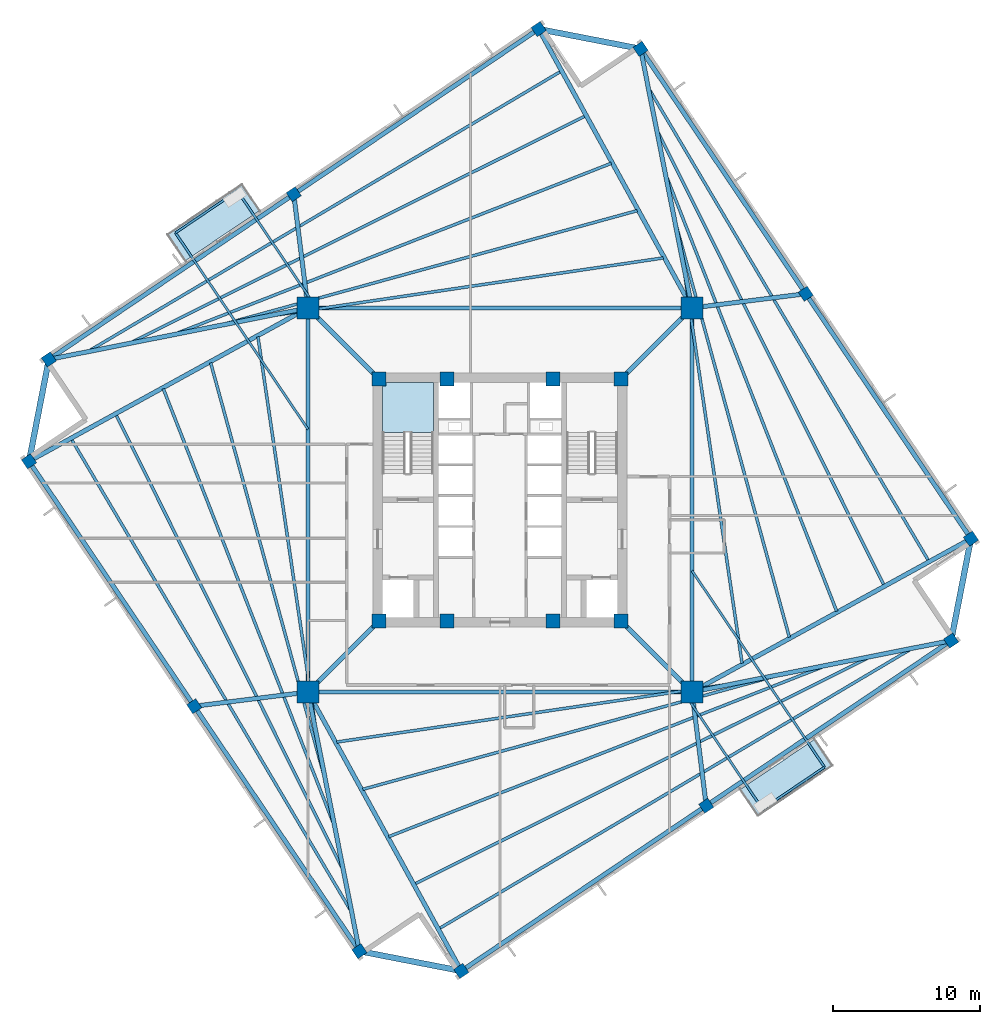
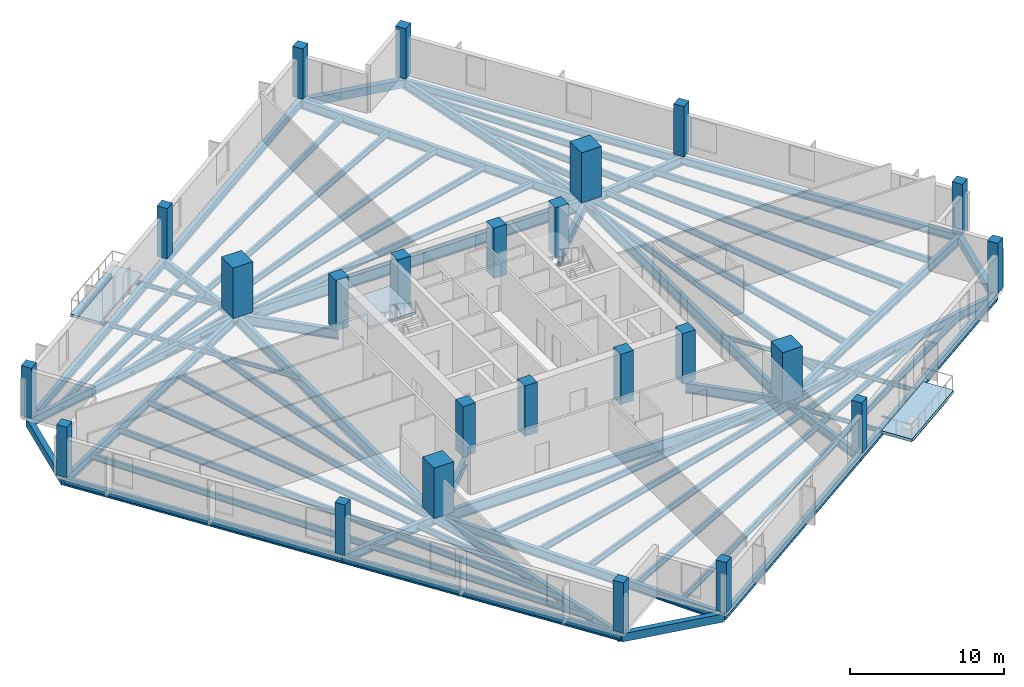
# One storey, part 1 of 8: 58 beams, 24 columns, 3 slabs, 1 element without a shape of its own.
"""IFC4 building model written with IfcOpenShell, lengths in metres."""

from ifc_helpers import new_model, si_unit, direction, frame, origin, origin_2d, place, context, subcontext, project, spatial, polyline, rectangle, i_section, outline, extrude, source, transform, mapped, material, layer, layer_set, material_profile, profile_set, type_object, element, aggregate, save


model = new_model("IFC4")

# Units and contexts
model_context = context("Model", 3, precision=1e-05, world=origin(), true_north=direction((0.0, 1.0)))
body_context = subcontext(model_context, "Body", "Model", "MODEL_VIEW")
ifc_project = project(units=[si_unit("LENGTHUNIT", "METRE"), si_unit("AREAUNIT", "SQUARE_METRE"), si_unit("VOLUMEUNIT", "CUBIC_METRE"), si_unit("PLANEANGLEUNIT", "RADIAN"), si_unit("MASSUNIT", "GRAM", prefix="KILO"), si_unit("THERMODYNAMICTEMPERATUREUNIT", "KELVIN")], contexts=[model_context])

# Site, building, storey
site_placement = place(None, origin())
site = spatial("IfcSite", under=ifc_project, at=site_placement, CompositionType="ELEMENT")
building_placement = place(site_placement, origin())
building = spatial("IfcBuilding", under=site, at=building_placement, Name="Kosmvard Interchange Tower", CompositionType="ELEMENT")
storey_placement = place(building_placement, frame((0.0, 0.0, 184.39990234375)))
storey = spatial("IfcBuildingStorey", under=building, at=storey_placement, Name="L44", CompositionType="ELEMENT", Elevation=184.39990234375)

# Columns
ifc_material_1 = material(Name="Concrete C60/75", Category="concrete")
ifc_material_profile_1 = material_profile(ifc_material_1, rectangle(XDim=0.949951171875, YDim=0.949951171875, at=origin_2d()), Name="CP 950x950")
ifc_profile_set_1 = profile_set([ifc_material_profile_1], Name="Concrete C60/75")
column_type_1 = type_object("IfcColumnType", Name="Core Boundary Pilaster 950x950 C60/75", PredefinedType="PILASTER", material=ifc_profile_set_1)
shared_shape_1 = source(origin(), body_context, "Body", "SweptSolid", [
    extrude(rectangle(XDim=0.949951171875, YDim=0.949951171875, at=origin_2d()), origin(), (0.0, 0.0, 1.0), 4.0),
])
for number, where, z_axis, x_axis, name in (
    (1, (-8.25, -8.25, 0.0), (0.0, 0.0, 1.0), (1.0, 0.0, 0.0), "L44 Core Pilaster CP1"),
    (2, (8.25, -8.25, 0.0), (0.0, 0.0, 1.0), (1.0, 0.0, 0.0), "L44 Core Pilaster CP2"),
    (3, (8.25, 8.25, 0.0), (0.0, 0.0, 1.0), (1.0, 0.0, 0.0), "L44 Core Pilaster CP3"),
    (4, (-8.25, 8.25, 0.0), (0.0, 0.0, 1.0), (1.0, 0.0, 0.0), "L44 Core Pilaster CP4"),
    (5, (-3.60009765625, -8.25, 0.0), (0.0, 0.0, 1.0), (1.0, 0.0, 0.0), "L44 Core Pilaster CP5"),
    (6, (3.60009765625, -8.25, 0.0), (0.0, 0.0, 1.0), (1.0, 0.0, 0.0), "L44 Core Pilaster CP6"),
    (7, (-3.60009765625, 8.25, 0.0), (0.0, 0.0, 1.0), (1.0, 0.0, 0.0), "L44 Core Pilaster CP7"),
    (8, (3.60009765625, 8.25, 0.0), (0.0, 0.0, 1.0), (1.0, 0.0, 0.0), "L44 Core Pilaster CP8"),
):
    element("IfcColumn", number, at=place(storey_placement, frame(where, z_axis=z_axis, x_axis=x_axis)), inside=storey, type_object=column_type_1, Name=name, PredefinedType="PILASTER", context=body_context, shape_type="MappedRepresentation", body=[
        mapped(shared_shape_1, transform((0.0, 0.0, 0.0), scale=1.0)),
    ])
ifc_material_profile_2 = material_profile(ifc_material_1, rectangle(XDim=1.5, YDim=1.5, at=origin_2d()), Name="MC 1500x1500")
ifc_profile_set_2 = profile_set([ifc_material_profile_2], Name="Concrete C60/75")
column_type_2 = type_object("IfcColumnType", Name="Composite Mega-Column 1500x1500 C60/75", PredefinedType="COLUMN", material=ifc_profile_set_2)
shared_shape_2 = source(origin(), body_context, "Body", "SweptSolid", [
    extrude(rectangle(XDim=1.5, YDim=1.5, at=origin_2d()), origin(), (0.0, 0.0, 1.0), 4.0),
])
for number, where, z_axis, x_axis, name in (
    (9, (-13.0810546875, -13.0810546875, 0.0), (0.0, 0.0, 1.0), (1.0, 0.0, 0.0), "L44 Corner Mega-Column MC1"),
    (10, (13.0810546875, -13.0810546875, 0.0), (0.0, 0.0, 1.0), (1.0, 0.0, 0.0), "L44 Corner Mega-Column MC2"),
    (11, (13.0810546875, 13.0810546875, 0.0), (0.0, 0.0, 1.0), (1.0, 0.0, 0.0), "L44 Corner Mega-Column MC3"),
    (12, (-13.0810546875, 13.0810546875, 0.0), (0.0, 0.0, 1.0), (1.0, 0.0, 0.0), "L44 Corner Mega-Column MC4"),
):
    element("IfcColumn", number, at=place(storey_placement, frame(where, z_axis=z_axis, x_axis=x_axis)), inside=storey, type_object=column_type_2, Name=name, PredefinedType="COLUMN", context=body_context, shape_type="MappedRepresentation", body=[
        mapped(shared_shape_2, transform((0.0, 0.0, 0.0), scale=1.0)),
    ])
ifc_material_2 = material(Name="Concrete C50/60", Category="concrete")
ifc_material_profile_3 = material_profile(ifc_material_2, rectangle(XDim=0.75, YDim=0.75, at=origin_2d()), Name="TC 750x750")
ifc_profile_set_3 = profile_set([ifc_material_profile_3], Name="Concrete C50/60")
column_type_3 = type_object("IfcColumnType", Name="Zone 3 Perimeter Pier Column 750x750 C50/60", PredefinedType="COLUMN", material=ifc_profile_set_3)
shared_shape_3 = source(origin(), body_context, "Body", "SweptSolid", [
    extrude(rectangle(XDim=0.75, YDim=0.75, at=origin_2d()), origin(), (0.0, 0.0, 1.0), 4.0),
])
for number, where, z_axis, x_axis, name in (
    (13, (-2.634765625, -32.083251953125, 0.0), (0.0, 0.0, 1.0), (0.829037572555, 0.559192903471, 0.0), "L44 Perimeter Pier Column TC-S1"),
    (14, (14.0498046875, -20.82958984375, 0.0), (0.0, 0.0, 1.0), (0.829037572555, 0.559192903471, 0.0), "L44 Perimeter Pier Column TC-S2"),
    (15, (30.734130859375, -9.575927734375, 0.0), (0.0, 0.0, 1.0), (0.829037572555, 0.559192903471, 0.0), "L44 Perimeter Pier Column TC-S3"),
    (16, (32.083251953125, -2.634765625, 0.0), (0.0, 0.0, 1.0), (0.829037572555, 0.559192903471, 0.0), "L44 Perimeter Pier Column TC-E1"),
    (17, (20.82958984375, 14.0498046875, 0.0), (0.0, 0.0, 1.0), (0.829037572555, 0.559192903471, 0.0), "L44 Perimeter Pier Column TC-E2"),
    (18, (9.575927734375, 30.734130859375, 0.0), (0.0, 0.0, 1.0), (0.829037572555, 0.559192903471, 0.0), "L44 Perimeter Pier Column TC-E3"),
    (19, (2.634765625, 32.083251953125, 0.0), (0.0, 0.0, 1.0), (0.829037572555, 0.559192903471, 0.0), "L44 Perimeter Pier Column TC-N1"),
    (20, (-14.0498046875, 20.82958984375, 0.0), (0.0, 0.0, 1.0), (0.829037572555, 0.559192903471, 0.0), "L44 Perimeter Pier Column TC-N2"),
    (21, (-30.734130859375, 9.575927734375, 0.0), (0.0, 0.0, 1.0), (0.829037572555, 0.559192903471, 0.0), "L44 Perimeter Pier Column TC-N3"),
    (22, (-32.083251953125, 2.634765625, 0.0), (0.0, 0.0, 1.0), (0.829037572555, 0.559192903471, 0.0), "L44 Perimeter Pier Column TC-W1"),
    (23, (-20.82958984375, -14.0498046875, 0.0), (0.0, 0.0, 1.0), (0.829037572555, 0.559192903471, 0.0), "L44 Perimeter Pier Column TC-W2"),
    (24, (-9.575927734375, -30.734130859375, 0.0), (0.0, 0.0, 1.0), (0.829037572555, 0.559192903471, 0.0), "L44 Perimeter Pier Column TC-W3"),
):
    element("IfcColumn", number, at=place(storey_placement, frame(where, z_axis=z_axis, x_axis=x_axis)), inside=storey, type_object=column_type_3, Name=name, PredefinedType="COLUMN", context=body_context, shape_type="MappedRepresentation", body=[
        mapped(shared_shape_3, transform((0.0, 0.0, 0.0), scale=1.0)),
    ])

# Beams
ifc_material_3 = material(Name="Steel S355", Category="steel")
ifc_material_profile_4 = material_profile(ifc_material_3, i_section(OverallWidth=0.14990234375, OverallDepth=0.300048828125, WebThickness=0.007080078125, FlangeThickness=0.0107421875, FilletRadius=0.014892578125, at=origin_2d()), Name="IPE 300")
ifc_profile_set_4 = profile_set([ifc_material_profile_4], Name="Steel S355")
beam_type_1 = type_object("IfcBeamType", Name="Balcony Edge Header Joist IPE 300 S355", PredefinedType="JOIST", material=ifc_profile_set_4)
shared_shape_4 = source(origin(), body_context, "Body", "SweptSolid", [
    extrude(i_section(OverallWidth=0.14990234375, OverallDepth=0.300048828125, WebThickness=0.007080078125, FlangeThickness=0.0107421875, FilletRadius=0.014892578125, at=origin_2d()), origin(), (0.0, 0.0, 1.0), 5.099853515625),
])
for number, where, z_axis, x_axis, name in (
    (25, (-17.87841796875, 21.051513671875, -0.409912109375), (-0.82904064614, -0.559188346666, 0.0), (0.559188346666, -0.82904064614, 0.0), "BM-L44-BJH1"),
    (26, (17.87841796875, -21.051513671875, -0.409912109375), (0.82904064614, 0.559188346666, 0.0), (-0.559188346666, 0.82904064614, 0.0), "BM-L44-BJH2"),
):
    element("IfcBeam", number, at=place(storey_placement, frame(where, z_axis=z_axis, x_axis=x_axis)), inside=storey, type_object=beam_type_1, Name=name, PredefinedType="JOIST", context=body_context, shape_type="MappedRepresentation", body=[
        mapped(shared_shape_4, transform((0.0, 0.0, 0.0), scale=1.0)),
    ])
ifc_material_profile_5 = material_profile(ifc_material_3, i_section(OverallWidth=0.300048828125, OverallDepth=0.800048828125, WebThickness=0.017578125, FlangeThickness=0.032958984375, FilletRadius=0.027099609375, at=origin_2d()), Name="HEB 800")
ifc_profile_set_5 = profile_set([ifc_material_profile_5], Name="Steel S355")
beam_type_2 = type_object("IfcBeamType", Name="Primary Mega-Frame Girder HEB 800 S355", PredefinedType="BEAM", material=ifc_profile_set_5)
shared_shape_5 = source(origin(), body_context, "Body", "SweptSolid", [
    extrude(i_section(OverallWidth=0.300048828125, OverallDepth=0.800048828125, WebThickness=0.017578125, FlangeThickness=0.032958984375, FilletRadius=0.027099609375, at=origin_2d()), origin(), (0.0, 0.0, 1.0), 6.83203125),
])
for number, where, z_axis, x_axis, name in (
    (27, (-8.25, -8.25, -0.659912109375), (-0.707106781187, -0.707106781187, 0.0), (0.707106781187, -0.707106781187, 0.0), "L44 Radial Mega-Frame Girder 1"),
    (28, (8.25, -8.25, -0.659912109375), (0.707106781187, -0.707106781187, 0.0), (0.707106781187, 0.707106781187, 0.0), "L44 Radial Mega-Frame Girder 2"),
    (29, (8.25, 8.25, -0.659912109375), (0.707106781187, 0.707106781187, 0.0), (-0.707106781187, 0.707106781187, 0.0), "L44 Radial Mega-Frame Girder 3"),
    (30, (-8.25, 8.25, -0.659912109375), (-0.707106781187, 0.707106781187, 0.0), (-0.707106781187, -0.707106781187, 0.0), "L44 Radial Mega-Frame Girder 4"),
):
    element("IfcBeam", number, at=place(storey_placement, frame(where, z_axis=z_axis, x_axis=x_axis)), inside=storey, type_object=beam_type_2, Name=name, PredefinedType="BEAM", context=body_context, shape_type="MappedRepresentation", body=[
        mapped(shared_shape_5, transform((0.0, 0.0, 0.0), scale=1.0)),
    ])
ifc_material_profile_6 = material_profile(ifc_material_3, i_section(OverallWidth=0.300048828125, OverallDepth=0.89990234375, WebThickness=0.0185546875, FlangeThickness=0.034912109375, FilletRadius=0.030029296875, at=origin_2d()), Name="HEB 900")
ifc_profile_set_6 = profile_set([ifc_material_profile_6], Name="Steel S355")
beam_type_3 = type_object("IfcBeamType", Name="Mega-Column Ring Girder HEB 900 S355", PredefinedType="BEAM", material=ifc_profile_set_6)
shared_shape_6 = source(origin(), body_context, "Body", "SweptSolid", [
    extrude(i_section(OverallWidth=0.300048828125, OverallDepth=0.89990234375, WebThickness=0.0185546875, FlangeThickness=0.034912109375, FilletRadius=0.030029296875, at=origin_2d()), origin(), (0.0, 0.0, 1.0), 26.162109375),
])
for number, where, z_axis, x_axis, name in (
    (31, (-13.0810546875, -13.0810546875, -0.7099609375), (1.0, 0.0, 0.0), (0.0, 1.0, 0.0), "L44 Mega-Column Ring Girder 1"),
    (32, (13.0810546875, -13.0810546875, -0.7099609375), (0.0, 1.0, 0.0), (-1.0, 0.0, 0.0), "L44 Mega-Column Ring Girder 2"),
    (33, (13.0810546875, 13.0810546875, -0.7099609375), (-1.0, 0.0, 0.0), (0.0, -1.0, 0.0), "L44 Mega-Column Ring Girder 3"),
    (34, (-13.0810546875, 13.0810546875, -0.7099609375), (0.0, -1.0, 0.0), (1.0, 0.0, 0.0), "L44 Mega-Column Ring Girder 4"),
):
    element("IfcBeam", number, at=place(storey_placement, frame(where, z_axis=z_axis, x_axis=x_axis)), inside=storey, type_object=beam_type_3, Name=name, PredefinedType="BEAM", context=body_context, shape_type="MappedRepresentation", body=[
        mapped(shared_shape_6, transform((0.0, 0.0, 0.0), scale=1.0)),
    ])
ifc_material_profile_7 = material_profile(ifc_material_3, i_section(OverallWidth=0.300048828125, OverallDepth=0.60009765625, WebThickness=0.015380859375, FlangeThickness=0.030029296875, FilletRadius=0.027099609375, at=origin_2d()), Name="HEB 600")
ifc_profile_set_7 = profile_set([ifc_material_profile_7], Name="Steel S355")
beam_type_4 = type_object("IfcBeamType", Name="Perimeter Tie Girder HEB 600 S355", PredefinedType="BEAM", material=ifc_profile_set_7)
shared_shape_7 = source(origin(), body_context, "Body", "SweptSolid", [
    extrude(i_section(OverallWidth=0.300048828125, OverallDepth=0.60009765625, WebThickness=0.015380859375, FlangeThickness=0.030029296875, FilletRadius=0.027099609375, at=origin_2d()), origin(), (0.0, 0.0, 1.0), 20.125),
])
for number, where, z_axis, x_axis, name in (
    (35, (-2.634765625, -32.083251953125, -0.559814453125), (0.82904270175, 0.559185299051, 0.0), (-0.559185299051, 0.82904270175, 0.0), "BM-L44-PR01"),
    (36, (14.0498046875, -20.82958984375, -0.559814453125), (0.829038908426, 0.559190922956, 0.0), (-0.559190922956, 0.829038908426, 0.0), "BM-L44-PR02"),
    (37, (32.083251953125, -2.634765625, -0.559814453125), (-0.559185299051, 0.82904270175, 0.0), (-0.82904270175, -0.559185299051, 0.0), "BM-L44-PR04"),
    (38, (20.82958984375, 14.0498046875, -0.559814453125), (-0.559190922956, 0.829038908426, 0.0), (-0.829038908426, -0.559190922956, 0.0), "BM-L44-PR05"),
    (39, (2.634765625, 32.083251953125, -0.559814453125), (-0.82904270175, -0.559185299051, 0.0), (0.559185299051, -0.82904270175, 0.0), "BM-L44-PR07"),
    (40, (-14.0498046875, 20.82958984375, -0.559814453125), (-0.829038908426, -0.559190922956, 0.0), (0.559190922956, -0.829038908426, 0.0), "BM-L44-PR08"),
    (41, (-32.083251953125, 2.634765625, -0.559814453125), (0.559185299051, -0.82904270175, 0.0), (0.82904270175, 0.559185299051, 0.0), "BM-L44-PR10"),
    (42, (-20.82958984375, -14.0498046875, -0.559814453125), (0.559190922956, -0.829038908426, 0.0), (0.829038908426, 0.559190922956, 0.0), "BM-L44-PR11"),
):
    element("IfcBeam", number, at=place(storey_placement, frame(where, z_axis=z_axis, x_axis=x_axis)), inside=storey, type_object=beam_type_4, Name=name, PredefinedType="BEAM", context=body_context, shape_type="MappedRepresentation", body=[
        mapped(shared_shape_7, transform((0.0, 0.0, 0.0), scale=1.0)),
    ])
ifc_material_profile_8 = material_profile(ifc_material_3, i_section(OverallWidth=0.300048828125, OverallDepth=0.699951171875, WebThickness=0.01708984375, FlangeThickness=0.031982421875, FilletRadius=0.027099609375, at=origin_2d()), Name="HEB 700")
ifc_profile_set_8 = profile_set([ifc_material_profile_8], Name="Steel S355")
beam_type_5 = type_object("IfcBeamType", Name="Primary Floor Girder HEB 700 S355", PredefinedType="BEAM", material=ifc_profile_set_8)
shared_shape_8 = source(origin(), body_context, "Body", "SweptSolid", [
    extrude(i_section(OverallWidth=0.300048828125, OverallDepth=0.699951171875, WebThickness=0.01708984375, FlangeThickness=0.031982421875, FilletRadius=0.027099609375, at=origin_2d()), origin(), (0.0, 0.0, 1.0), 21.684326171875),
])
for number, where, z_axis, x_axis, name in (
    (43, (-13.0810546875, -13.0810546875, -0.60986328125), (0.48174456271, -0.876311689012, 0.0), (0.876311689012, 0.48174456271, 0.0), "BM-L44-RD01"),
    (44, (13.0810546875, -13.0810546875, -0.60986328125), (0.876311689012, 0.48174456271, 0.0), (-0.48174456271, 0.876311689012, 0.0), "BM-L44-RD04"),
    (45, (13.0810546875, 13.0810546875, -0.60986328125), (-0.48174456271, 0.876311689012, 0.0), (-0.876311689012, -0.48174456271, 0.0), "BM-L44-RD07"),
    (46, (-13.0810546875, 13.0810546875, -0.60986328125), (-0.876311689012, -0.48174456271, 0.0), (0.48174456271, -0.876311689012, 0.0), "BM-L44-RD10"),
):
    element("IfcBeam", number, at=place(storey_placement, frame(where, z_axis=z_axis, x_axis=x_axis)), inside=storey, type_object=beam_type_5, Name=name, PredefinedType="BEAM", context=body_context, shape_type="MappedRepresentation", body=[
        mapped(shared_shape_8, transform((0.0, 0.0, 0.0), scale=1.0)),
    ])
shared_shape_9 = source(origin(), body_context, "Body", "SweptSolid", [
    extrude(i_section(OverallWidth=0.300048828125, OverallDepth=0.699951171875, WebThickness=0.01708984375, FlangeThickness=0.031982421875, FilletRadius=0.027099609375, at=origin_2d()), origin(), (0.0, 0.0, 1.0), 7.808837890625),
])
for number, where, z_axis, x_axis, name in (
    (47, (13.0810546875, -13.0810546875, -0.60986328125), (0.12405782224, -0.992274990485, 0.0), (0.992274990485, 0.12405782224, 0.0), "BM-L44-RD02"),
    (48, (13.0810546875, 13.0810546875, -0.60986328125), (0.992274990485, 0.12405782224, 0.0), (-0.12405782224, 0.992274990485, 0.0), "BM-L44-RD05"),
    (49, (-13.0810546875, 13.0810546875, -0.60986328125), (-0.12405782224, 0.992274990485, 0.0), (-0.992274990485, -0.12405782224, 0.0), "BM-L44-RD08"),
    (50, (-13.0810546875, -13.0810546875, -0.60986328125), (-0.992274990485, -0.12405782224, 0.0), (0.12405782224, -0.992274990485, 0.0), "BM-L44-RD11"),
):
    element("IfcBeam", number, at=place(storey_placement, frame(where, z_axis=z_axis, x_axis=x_axis)), inside=storey, type_object=beam_type_5, Name=name, PredefinedType="BEAM", context=body_context, shape_type="MappedRepresentation", body=[
        mapped(shared_shape_9, transform((0.0, 0.0, 0.0), scale=1.0)),
    ])
ifc_material_4 = material(Name="Precast concrete C45/55", Category="concrete")
ifc_material_profile_9 = material_profile(ifc_material_4, rectangle(XDim=0.39990234375, YDim=0.64990234375, at=origin_2d()), Name="SL 400x650")
ifc_profile_set_9 = profile_set([ifc_material_profile_9], Name="Precast concrete C45/55")
beam_type_6 = type_object("IfcBeamType", Name="Precast Spandrel Lintel 400x650 C45/55", PredefinedType="LINTEL", material=ifc_profile_set_9)
shared_shape_10 = source(origin(), body_context, "Body", "SweptSolid", [
    extrude(rectangle(XDim=0.39990234375, YDim=0.64990234375, at=origin_2d()), origin(), (0.0, 0.0, 1.0), 7.071044921875),
])
for number, where, z_axis, x_axis, name in (
    (51, (30.734130859375, -9.575927734375, -0.5849609375), (0.190794803533, 0.981629941956, 0.0), (-0.981629941956, 0.190794803533, 0.0), "BM-L44-SL1"),
    (52, (9.575927734375, 30.734130859375, -0.5849609375), (-0.981629941956, 0.190794803533, 0.0), (-0.190794803533, -0.981629941956, 0.0), "BM-L44-SL2"),
    (53, (-30.734130859375, 9.575927734375, -0.5849609375), (-0.190794803533, -0.981629941956, 0.0), (0.981629941956, -0.190794803533, 0.0), "BM-L44-SL3"),
    (54, (-9.575927734375, -30.734130859375, -0.5849609375), (0.981629941956, -0.190794803533, 0.0), (0.190794803533, 0.981629941956, 0.0), "BM-L44-SL4"),
):
    element("IfcBeam", number, at=place(storey_placement, frame(where, z_axis=z_axis, x_axis=x_axis)), inside=storey, type_object=beam_type_6, Name=name, PredefinedType="LINTEL", context=body_context, shape_type="MappedRepresentation", body=[
        mapped(shared_shape_10, transform((0.0, 0.0, 0.0), scale=1.0)),
    ])
shared_shape_11 = source(origin(), body_context, "Body", "SweptSolid", [
    extrude(i_section(OverallWidth=0.300048828125, OverallDepth=0.699951171875, WebThickness=0.01708984375, FlangeThickness=0.031982421875, FilletRadius=0.027099609375, at=origin_2d()), origin(), (0.0, 0.0, 1.0), 17.997802734375),
])
for number, where, z_axis, x_axis, name in (
    (55, (13.0810546875, -13.0810546875, -0.60986328125), (0.980852075755, 0.194754218148, 0.0), (-0.194754218148, 0.980852075755, 0.0), "BM-L44-RD03"),
    (56, (13.0810546875, 13.0810546875, -0.60986328125), (-0.194754218148, 0.980852075755, 0.0), (-0.980852075755, -0.194754218148, 0.0), "BM-L44-RD06"),
    (57, (-13.0810546875, 13.0810546875, -0.60986328125), (-0.980852075755, -0.194754218148, 0.0), (0.194754218148, -0.980852075755, 0.0), "BM-L44-RD09"),
    (58, (-13.0810546875, -13.0810546875, -0.60986328125), (0.194754218148, -0.980852075755, 0.0), (0.980852075755, 0.194754218148, 0.0), "BM-L44-RD12"),
):
    element("IfcBeam", number, at=place(storey_placement, frame(where, z_axis=z_axis, x_axis=x_axis)), inside=storey, type_object=beam_type_5, Name=name, PredefinedType="BEAM", context=body_context, shape_type="MappedRepresentation", body=[
        mapped(shared_shape_11, transform((0.0, 0.0, 0.0), scale=1.0)),
    ])
ifc_material_profile_10 = material_profile(ifc_material_3, i_section(OverallWidth=0.199951171875, OverallDepth=0.5, WebThickness=0.01025390625, FlangeThickness=0.01611328125, FilletRadius=0.02099609375, at=origin_2d()), Name="IPE 500")
ifc_profile_set_10 = profile_set([ifc_material_profile_10], Name="Steel S355")
beam_type_7 = type_object("IfcBeamType", Name="Standard Floor Joist IPE 500 S355", PredefinedType="JOIST", material=ifc_profile_set_10)
shared_shape_12 = source(origin(), body_context, "Body", "SweptSolid", [
    extrude(i_section(OverallWidth=0.199951171875, OverallDepth=0.5, WebThickness=0.01025390625, FlangeThickness=0.01611328125, FilletRadius=0.02099609375, at=origin_2d()), origin(), (0.0, 0.0, 1.0), 27.5966796875),
])
for number, where, z_axis, x_axis, name in (
    (59, (-11.12158203125, -16.48974609375, -0.510009765625), (0.989290070387, 0.145962860463, 0.0), (-0.145962860463, 0.989290070387, 0.0), "BM-L44-FJ01"),
    (60, (16.48974609375, -11.12158203125, -0.510009765625), (-0.145962860463, 0.989290070387, 0.0), (-0.989290070387, -0.145962860463, 0.0), "BM-L44-FJ06"),
    (61, (11.12158203125, 16.48974609375, -0.510009765625), (-0.989290070387, -0.145962860463, 0.0), (0.145962860463, -0.989290070387, 0.0), "BM-L44-FJ11"),
    (62, (-16.48974609375, 11.12158203125, -0.510009765625), (0.145962860463, -0.989290070387, 0.0), (0.989290070387, 0.145962860463, 0.0), "BM-L44-FJ16"),
):
    element("IfcBeam", number, at=place(storey_placement, frame(where, z_axis=z_axis, x_axis=x_axis)), inside=storey, type_object=beam_type_7, Name=name, PredefinedType="JOIST", context=body_context, shape_type="MappedRepresentation", body=[
        mapped(shared_shape_12, transform((0.0, 0.0, 0.0), scale=1.0)),
    ])
shared_shape_13 = source(origin(), body_context, "Body", "SweptSolid", [
    extrude(i_section(OverallWidth=0.199951171875, OverallDepth=0.5, WebThickness=0.01025390625, FlangeThickness=0.01611328125, FilletRadius=0.02099609375, at=origin_2d()), origin(), (0.0, 0.0, 1.0), 29.58642578125),
])
for number, where, z_axis, x_axis, name in (
    (63, (-9.34765625, -19.710693359375, -0.510009765625), (0.964296527467, 0.264824861209, 0.0), (-0.264824861209, 0.964296527467, 0.0), "BM-L44-FJ02"),
    (64, (19.710693359375, -9.34765625, -0.510009765625), (-0.264824861209, 0.964296527467, 0.0), (-0.964296527467, -0.264824861209, 0.0), "BM-L44-FJ07"),
    (65, (9.34765625, 19.710693359375, -0.510009765625), (-0.964296527467, -0.264824861209, 0.0), (0.264824861209, -0.964296527467, 0.0), "BM-L44-FJ12"),
    (66, (-19.710693359375, 9.34765625, -0.510009765625), (0.264824861209, -0.964296527467, 0.0), (0.964296527467, 0.264824861209, 0.0), "BM-L44-FJ17"),
):
    element("IfcBeam", number, at=place(storey_placement, frame(where, z_axis=z_axis, x_axis=x_axis)), inside=storey, type_object=beam_type_7, Name=name, PredefinedType="JOIST", context=body_context, shape_type="MappedRepresentation", body=[
        mapped(shared_shape_13, transform((0.0, 0.0, 0.0), scale=1.0)),
    ])
shared_shape_14 = source(origin(), body_context, "Body", "SweptSolid", [
    extrude(i_section(OverallWidth=0.199951171875, OverallDepth=0.5, WebThickness=0.01025390625, FlangeThickness=0.01611328125, FilletRadius=0.02099609375, at=origin_2d()), origin(), (0.0, 0.0, 1.0), 31.9580078125),
])
for number, where, z_axis, x_axis, name in (
    (67, (-7.574462890625, -22.93310546875, -0.510009765625), (0.931239172846, 0.364408565976, 0.0), (-0.364408565976, 0.931239172846, 0.0), "BM-L44-FJ03"),
    (68, (22.93310546875, -7.574462890625, -0.510009765625), (-0.364408565976, 0.931239172846, 0.0), (-0.931239172846, -0.364408565976, 0.0), "BM-L44-FJ08"),
    (69, (7.574462890625, 22.93310546875, -0.510009765625), (-0.931239172846, -0.364408565976, 0.0), (0.364408565976, -0.931239172846, 0.0), "BM-L44-FJ13"),
    (70, (-22.93310546875, 7.574462890625, -0.510009765625), (0.364408565976, -0.931239172846, 0.0), (0.931239172846, 0.364408565976, 0.0), "BM-L44-FJ18"),
):
    element("IfcBeam", number, at=place(storey_placement, frame(where, z_axis=z_axis, x_axis=x_axis)), inside=storey, type_object=beam_type_7, Name=name, PredefinedType="JOIST", context=body_context, shape_type="MappedRepresentation", body=[
        mapped(shared_shape_14, transform((0.0, 0.0, 0.0), scale=1.0)),
    ])
shared_shape_15 = source(origin(), body_context, "Body", "SweptSolid", [
    extrude(i_section(OverallWidth=0.199951171875, OverallDepth=0.5, WebThickness=0.01025390625, FlangeThickness=0.01611328125, FilletRadius=0.02099609375, at=origin_2d()), origin(), (0.0, 0.0, 1.0), 34.633056640625),
])
for number, where, z_axis, x_axis, name in (
    (71, (-5.801513671875, -26.156982421875, -0.510009765625), (0.894853974707, 0.446359007921, 0.0), (-0.446359007921, 0.894853974707, 0.0), "BM-L44-FJ04"),
    (72, (26.156982421875, -5.801513671875, -0.510009765625), (-0.446359007921, 0.894853974707, 0.0), (-0.894853974707, -0.446359007921, 0.0), "BM-L44-FJ09"),
    (73, (5.801513671875, 26.156982421875, -0.510009765625), (-0.894853974707, -0.446359007921, 0.0), (0.446359007921, -0.894853974707, 0.0), "BM-L44-FJ14"),
    (74, (-26.156982421875, 5.801513671875, -0.510009765625), (0.446359007921, -0.894853974707, 0.0), (0.894853974707, 0.446359007921, 0.0), "BM-L44-FJ19"),
):
    element("IfcBeam", number, at=place(storey_placement, frame(where, z_axis=z_axis, x_axis=x_axis)), inside=storey, type_object=beam_type_7, Name=name, PredefinedType="JOIST", context=body_context, shape_type="MappedRepresentation", body=[
        mapped(shared_shape_15, transform((0.0, 0.0, 0.0), scale=1.0)),
    ])
shared_shape_16 = source(origin(), body_context, "Body", "SweptSolid", [
    extrude(i_section(OverallWidth=0.199951171875, OverallDepth=0.5, WebThickness=0.01025390625, FlangeThickness=0.01611328125, FilletRadius=0.02099609375, at=origin_2d()), origin(), (0.0, 0.0, 1.0), 37.3701171875),
])
for number, where, z_axis, x_axis, name in (
    (75, (-4.1328125, -29.192138671875, -0.510009765625), (0.860316577026, 0.509760127212, 0.0), (-0.509760127212, 0.860316577026, 0.0), "BM-L44-FJ05"),
    (76, (29.192138671875, -4.1328125, -0.510009765625), (-0.509760127212, 0.860316577026, 0.0), (-0.860316577026, -0.509760127212, 0.0), "BM-L44-FJ10"),
    (77, (4.1328125, 29.192138671875, -0.510009765625), (-0.860316577026, -0.509760127212, 0.0), (0.509760127212, -0.860316577026, 0.0), "BM-L44-FJ15"),
    (78, (-29.192138671875, 4.1328125, -0.510009765625), (0.509760127212, -0.860316577026, 0.0), (0.860316577026, 0.509760127212, 0.0), "BM-L44-FJ20"),
):
    element("IfcBeam", number, at=place(storey_placement, frame(where, z_axis=z_axis, x_axis=x_axis)), inside=storey, type_object=beam_type_7, Name=name, PredefinedType="JOIST", context=body_context, shape_type="MappedRepresentation", body=[
        mapped(shared_shape_16, transform((0.0, 0.0, 0.0), scale=1.0)),
    ])
ifc_material_profile_11 = material_profile(ifc_material_3, i_section(OverallWidth=0.159912109375, OverallDepth=0.330078125, WebThickness=0.007568359375, FlangeThickness=0.011474609375, FilletRadius=0.01806640625, at=origin_2d()), Name="IPE 330")
ifc_profile_set_11 = profile_set([ifc_material_profile_11], Name="Steel S355")
beam_type_8 = type_object("IfcBeamType", Name="Balcony Cantilever Joist IPE 330 S355", PredefinedType="JOIST", material=ifc_profile_set_11)
shared_shape_17 = source(origin(), body_context, "Body", "SweptSolid", [
    extrude(i_section(OverallWidth=0.159912109375, OverallDepth=0.330078125, WebThickness=0.007568359375, FlangeThickness=0.011474609375, FilletRadius=0.01806640625, at=origin_2d()), origin(), (0.0, 0.0, 1.0), 9.6142578125),
])
for number, where, z_axis, x_axis, name in (
    (79, (-12.502197265625, 13.0810546875, -0.4248046875), (-0.559198496377, 0.829033800065, 0.0), (-0.829033800065, -0.559198496377, 0.0), "BM-L44-BJ1"),
    (80, (12.502197265625, -13.0810546875, -0.4248046875), (0.559198496377, -0.829033800065, 0.0), (0.829033800065, 0.559198496377, 0.0), "BM-L44-BJ2"),
):
    element("IfcBeam", number, at=place(storey_placement, frame(where, z_axis=z_axis, x_axis=x_axis)), inside=storey, type_object=beam_type_8, Name=name, PredefinedType="JOIST", context=body_context, shape_type="MappedRepresentation", body=[
        mapped(shared_shape_17, transform((0.0, 0.0, 0.0), scale=1.0)),
    ])
shared_shape_18 = source(origin(), body_context, "Body", "SweptSolid", [
    extrude(i_section(OverallWidth=0.159912109375, OverallDepth=0.330078125, WebThickness=0.007568359375, FlangeThickness=0.011474609375, FilletRadius=0.01806640625, at=origin_2d()), origin(), (0.0, 0.0, 1.0), 16.14013671875),
])
for number, where, z_axis, x_axis, name in (
    (81, (-13.0810546875, 4.81884765625, -0.4248046875), (-0.559188092129, 0.829040817826, 0.0), (-0.829040817826, -0.559188092129, 0.0), "BM-L44-BJB1"),
    (82, (13.0810546875, -4.81884765625, -0.4248046875), (0.559188092129, -0.829040817826, 0.0), (0.829040817826, 0.559188092129, 0.0), "BM-L44-BJB2"),
):
    element("IfcBeam", number, at=place(storey_placement, frame(where, z_axis=z_axis, x_axis=x_axis)), inside=storey, type_object=beam_type_8, Name=name, PredefinedType="JOIST", context=body_context, shape_type="MappedRepresentation", body=[
        mapped(shared_shape_18, transform((0.0, 0.0, 0.0), scale=1.0)),
    ])

# Stair, slab
stair_type = type_object("IfcStairType", Name="Dog-Leg Core Exit Stair H4000 C50/60", PredefinedType="HALF_TURN_STAIR", material=ifc_material_2)
stair_placement = place(storey_placement, origin())
stair = element("IfcStair", 83, at=stair_placement, inside=storey, type_object=stair_type, Name="L44 Protected Exit Stair ST-1", PredefinedType="HALF_TURN_STAIR")
ifc_layer_1 = layer(ifc_material_2, 0.199951171875, Name="Concrete C50/60")
ifc_layer_set_1 = layer_set([ifc_layer_1], Name="Concrete C50/60")
slab_type_1 = type_object("IfcSlabType", Name="Stair Half-Landing Slab 200 C50/60", PredefinedType="LANDING", material=ifc_layer_set_1)
slab_1_placement = place(storey_placement, frame((0.0, 0.0, 1.800048828125)))
slab_1 = element("IfcSlab", 84, at=slab_1_placement, type_object=slab_type_1, Name="ST-1 landing 1", PredefinedType="LANDING", context=body_context, shape_type="SweptSolid", body=[
    extrude(outline(polyline([(-4.5400390625, 4.60009765625), (-4.5400390625, 8.0), (-8.0, 8.0), (-8.0, 4.60009765625), (-4.5400390625, 4.60009765625)])), origin(), (0.0, 0.0, 1.0), 0.199951171875),
])
aggregate(stair, [slab_1])

# Slabs
ifc_layer_2 = layer(ifc_material_2, 0.22998046875, Name="Concrete C50/60")
ifc_layer_set_2 = layer_set([ifc_layer_2], Name="Concrete C50/60")
slab_type_2 = type_object("IfcSlabType", Name="Tree-Planter Cantilever Balcony Slab 230 C50/60", PredefinedType="FLOOR", material=ifc_layer_set_2)
slab_2_placement = place(storey_placement, frame((0.0, 0.0, -0.22998046875)))
element("IfcSlab", 85, at=slab_2_placement, inside=storey, type_object=slab_type_2, Name="L44 Outdoor Terrace Balcony Slab BAL-L44-NE", PredefinedType="FLOOR", context=body_context, shape_type="SweptSolid", body=[
    extrude(outline(polyline([(-21.47216796875, 16.275390625), (-16.33203125, 19.742431640625), (-17.562255859375, 21.56640625), (-22.702392578125, 18.099365234375), (-21.47216796875, 16.275390625)])), origin(), (0.0, 0.0, 1.0), 0.22998046875),
])
slab_3_placement = place(storey_placement, frame((0.0, 0.0, -0.22998046875)))
element("IfcSlab", 86, at=slab_3_placement, inside=storey, type_object=slab_type_2, Name="L44 Outdoor Terrace Balcony Slab BAL-L44-SW", PredefinedType="FLOOR", context=body_context, shape_type="SweptSolid", body=[
    extrude(outline(polyline([(17.562255859375, -21.56640625), (22.702392578125, -18.099365234375), (21.47216796875, -16.275390625), (16.33203125, -19.742431640625), (17.562255859375, -21.56640625)])), origin(), (0.0, 0.0, 1.0), 0.22998046875),
])

save(model, "model.ifc")
